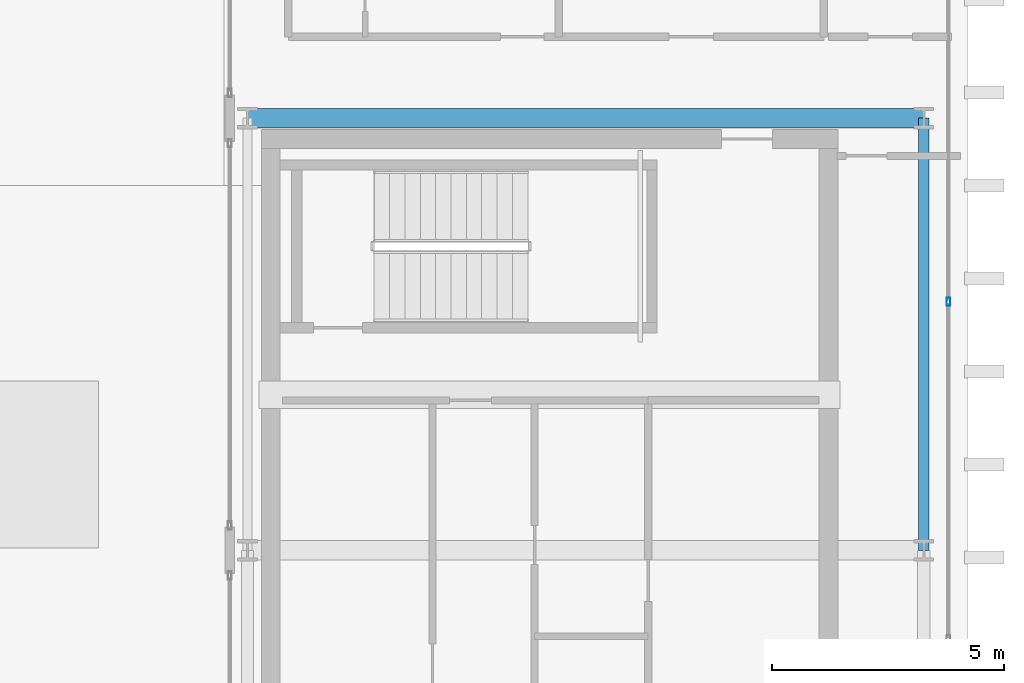
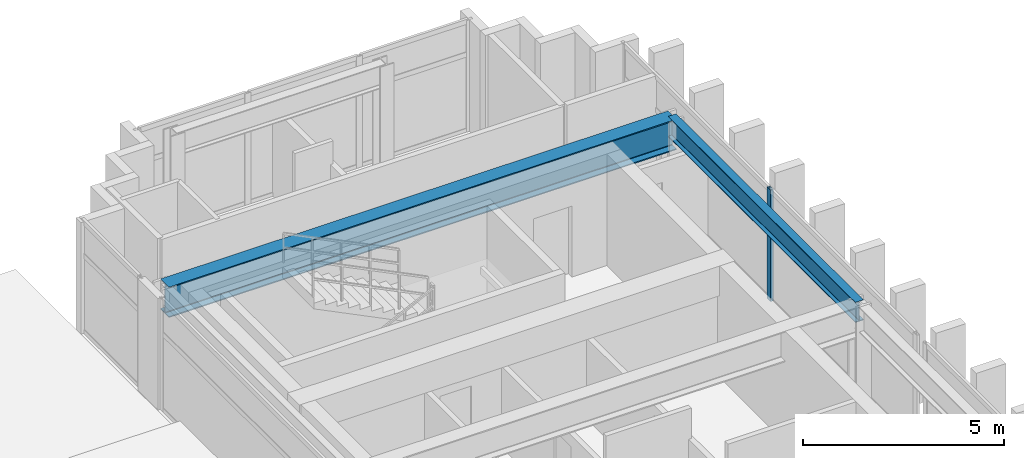
# One storey, part 14 of 25: 2 beams, 1 member, 1 element without a shape of its own.
"""IFC4 building model written with IfcOpenShell, lengths in metres."""

from ifc_helpers import new_model, si_unit, direction, frame, origin, origin_2d, place, context, subcontext, project, spatial, hollow_rectangle, i_section, extrude, source, transform, mapped, material, layer, layer_set, material_profile, profile_set, type_object, element, aggregate, save


model = new_model("IFC4")

# Units and contexts
model_context = context("Model", 3, precision=1e-05, world=origin(), true_north=direction((0.0, 1.0)))
body_context = subcontext(model_context, "Body", "Model", "MODEL_VIEW")
ifc_project = project(units=[si_unit("LENGTHUNIT", "METRE"), si_unit("AREAUNIT", "SQUARE_METRE"), si_unit("VOLUMEUNIT", "CUBIC_METRE"), si_unit("PLANEANGLEUNIT", "RADIAN"), si_unit("MASSUNIT", "GRAM", prefix="KILO")], contexts=[model_context])

# Site, building, storey
site_placement = place(None, origin())
site = spatial("IfcSite", under=ifc_project, at=site_placement, CompositionType="ELEMENT")
building_placement = place(site_placement, origin())
building = spatial("IfcBuilding", under=site, at=building_placement, Name="Ocotamira Hotel", CompositionType="ELEMENT")
storey_placement = place(building_placement, frame((0.0, 0.0, 250.800048828125)))
storey = spatial("IfcBuildingStorey", under=building, at=storey_placement, Name="L63", CompositionType="ELEMENT", Elevation=250.800048828125)

# Beams
ifc_material_1 = material(Name="Steel ASTM A992 Grade 50", Category="steel")
ifc_material_profile_1 = material_profile(ifc_material_1, i_section(OverallWidth=0.41796875, OverallDepth=0.927001953125, WebThickness=0.019287109375, FlangeThickness=0.031982421875, FilletRadius=0.02392578125, at=origin_2d()), Name="W36X231")
ifc_profile_set_1 = profile_set([ifc_material_profile_1], Name="Steel ASTM A992 Grade 50")
beam_type_1 = type_object("IfcBeamType", Name="BM-GIRD-W36X231", PredefinedType="BEAM", material=ifc_profile_set_1)
shared_shape_1 = source(origin(), body_context, "Body", "SweptSolid", [
    extrude(i_section(OverallWidth=0.41796875, OverallDepth=0.927001953125, WebThickness=0.019287109375, FlangeThickness=0.031982421875, FilletRadius=0.02392578125, at=origin_2d()), origin(), (0.0, 0.0, 1.0), 14.550048828125),
])
beam_1_placement = place(storey_placement, frame((40.5, 37.449951171875, 2.91650390625), z_axis=(1.0, 0.0, 0.0), x_axis=(0.0, 1.0, 0.0)))
element("IfcBeam", 1, at=beam_1_placement, inside=storey, type_object=beam_type_1, Name="L63 Girder Y37.45 X40.5-55.05", PredefinedType="BEAM", context=body_context, shape_type="MappedRepresentation", body=[
    mapped(shared_shape_1, transform((0.0, 0.0, 0.0), scale=1.0)),
])
ifc_material_profile_2 = material_profile(ifc_material_1, i_section(OverallWidth=0.22998046875, OverallDepth=0.616943359375, WebThickness=0.01318359375, FlangeThickness=0.022216796875, FilletRadius=0.012939453125, at=origin_2d()), Name="W24X94")
ifc_profile_set_2 = profile_set([ifc_material_profile_2], Name="Steel ASTM A992 Grade 50")
beam_type_2 = type_object("IfcBeamType", Name="BM-PRIM-W24X94", PredefinedType="BEAM", material=ifc_profile_set_2)
shared_shape_2 = source(origin(), body_context, "Body", "SweptSolid", [
    extrude(i_section(OverallWidth=0.22998046875, OverallDepth=0.616943359375, WebThickness=0.01318359375, FlangeThickness=0.022216796875, FilletRadius=0.012939453125, at=origin_2d()), origin(), (0.0, 0.0, 1.0), 9.300048828125),
])
beam_2_placement = place(storey_placement, frame((55.050048828125, 28.14990234375, 3.071533203125), z_axis=(0.0, 1.0, 0.0), x_axis=(-1.0, 0.0, 0.0)))
element("IfcBeam", 2, at=beam_2_placement, inside=storey, type_object=beam_type_2, Name="L63 Beam X55.05 Y28.15-37.45", PredefinedType="BEAM", context=body_context, shape_type="MappedRepresentation", body=[
    mapped(shared_shape_2, transform((0.0, 0.0, 0.0), scale=1.0)),
])

# Curtain wall, member
ifc_material_2 = material(Name="Anodised pale-metal aluminium and solar glass", Category="aluminium")
ifc_layer = layer(ifc_material_2, 0.2099609375)
ifc_layer_set = layer_set([ifc_layer], Name="Anodised pale-metal aluminium and solar glass")
curtain_wall_type = type_object("IfcCurtainWallType", Name="CW-SYS7-PEAK", PredefinedType="NOTDEFINED", material=ifc_layer_set)
curtain_wall_placement = place(storey_placement, origin())
curtain_wall = element("IfcCurtainWall", 3, at=curtain_wall_placement, inside=storey, type_object=curtain_wall_type, Name="L63 Curtain Wall CW-7 CW-L63-EO2", PredefinedType="NOTDEFINED")
ifc_material_3 = material(Name="Anodised pale-metal aluminium 6063-T6", Category="aluminium")
ifc_material_profile_3 = material_profile(ifc_material_3, hollow_rectangle(XDim=0.080078125, YDim=0.179931640625, WallThickness=0.006103515625, at=origin_2d()), Name="HSS180X80X6")
ifc_profile_set_3 = profile_set([ifc_material_profile_3], Name="Anodised pale-metal aluminium 6063-T6")
member_type = type_object("IfcMemberType", Name="CWM-180X75", PredefinedType="MULLION", material=ifc_profile_set_3)
shared_shape_3 = source(origin(), body_context, "Body", "SweptSolid", [
    extrude(hollow_rectangle(XDim=0.080078125, YDim=0.179931640625, WallThickness=0.006103515625, at=origin_2d()), origin(), (0.0, 0.0, 1.0), 3.3798828125),
])
member_placement = place(storey_placement, frame((55.580078125, 33.5, 0.0), z_axis=(0.0, 0.0, 1.0), x_axis=(-1.0, 0.0, 0.0)))
member = element("IfcMember", 4, at=member_placement, type_object=member_type, Name="CW-7 mullion 2", PredefinedType="MULLION", context=body_context, shape_type="MappedRepresentation", body=[
    mapped(shared_shape_3, transform((0.0, 0.0, 0.0), scale=1.0)),
])
aggregate(curtain_wall, [member])

save(model, "model.ifc")
